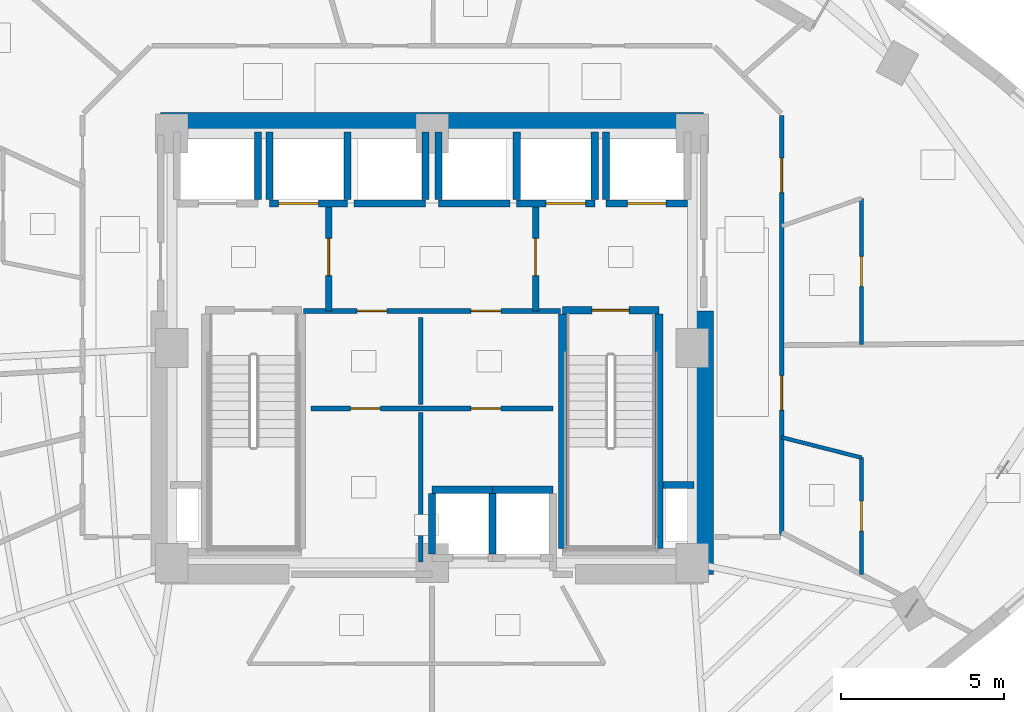
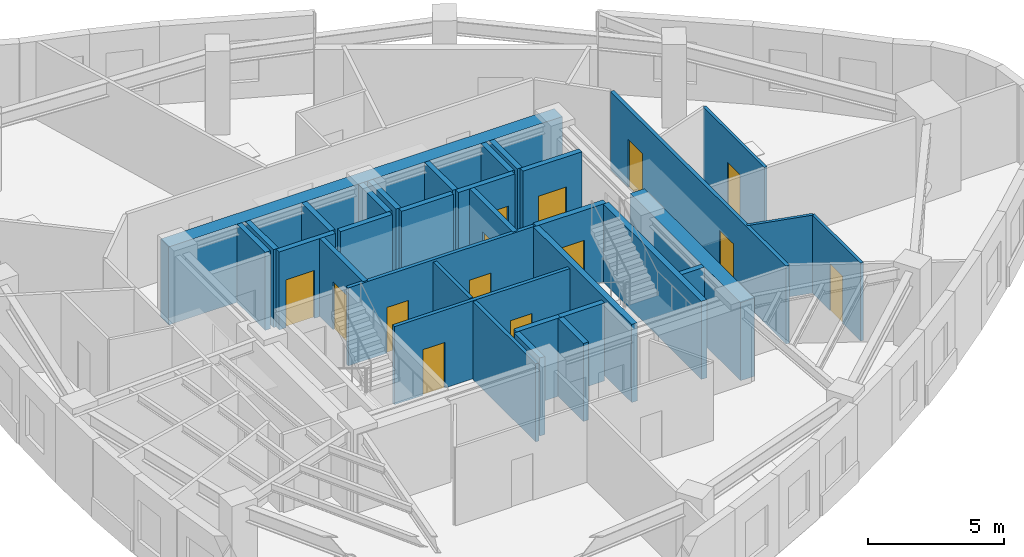
# One storey, part 9 of 14: 33 walls, 14 doors, 14 openings.
"""IFC4 building model written with IfcOpenShell, lengths in metres."""

from ifc_helpers import new_model, si_unit, direction, frame, frame_2d, origin, place, context, subcontext, project, spatial, rectangle, extrude, material, layer, layer_set, type_object, element, fill, save


model = new_model("IFC4")

# Units and contexts
model_context = context("Model", 3, precision=1e-05, world=origin(), true_north=direction((0.0, 1.0)))
body_context = subcontext(model_context, "Body", "Model", "MODEL_VIEW")
ifc_project = project(units=[si_unit("LENGTHUNIT", "METRE"), si_unit("AREAUNIT", "SQUARE_METRE"), si_unit("VOLUMEUNIT", "CUBIC_METRE"), si_unit("PLANEANGLEUNIT", "RADIAN"), si_unit("MASSUNIT", "GRAM", prefix="KILO")], contexts=[model_context])

# Site, building, storey
site_placement = place(None, origin())
site = spatial("IfcSite", under=ifc_project, at=site_placement, CompositionType="ELEMENT")
building_placement = place(site_placement, origin())
building = spatial("IfcBuilding", under=site, at=building_placement, Name="Ndelora Gate Hotel", CompositionType="ELEMENT")
storey_placement = place(building_placement, frame((0.0, 0.0, 127.25)))
storey = spatial("IfcBuildingStorey", under=building, at=storey_placement, Name="L31", CompositionType="ELEMENT", Elevation=127.25)

# Walls
ifc_material_1 = material(Name="Concrete C60/75", Category="concrete")
ifc_layer_1 = layer(ifc_material_1, 0.60009765625)
ifc_layer_set_1 = layer_set([ifc_layer_1], Name="Concrete C60/75")
wall_type_1 = type_object("IfcWallType", Name="WL-CORE-600", PredefinedType="SHEAR", material=ifc_layer_set_1)
wall_1_placement = place(storey_placement, frame((-8.35009765625, 6.949951171875, 0.0), z_axis=(0.0, 0.0, 1.0), x_axis=(1.0, 0.0, 0.0)))
element("IfcWall", 1, at=wall_1_placement, inside=storey, type_object=wall_type_1, Name="L31 Core Shear Wall N", PredefinedType="SHEAR", context=body_context, shape_type="SweptSolid", body=[
    extrude(rectangle(XDim=16.7001953125, YDim=0.60009765625, at=frame_2d((8.35009765625, 0.0))), origin(), (0.0, 0.0, 1.0), 3.5),
])
wall_2_placement = place(storey_placement, frame((8.35009765625, -6.949951171875, 0.0), z_axis=(0.0, 0.0, 1.0), x_axis=(0.0, 1.0, 0.0)))
element("IfcWall", 2, at=wall_2_placement, inside=storey, type_object=wall_type_1, Name="L31 Core Shear Wall E", PredefinedType="SHEAR", context=body_context, shape_type="SweptSolid", body=[
    extrude(rectangle(XDim=8.099853515625, YDim=0.60009765625, at=frame_2d((4.0498046875, 0.0))), origin(), (0.0, 0.0, 1.0), 3.5),
])

# Wall, opening, door
ifc_material_2 = material(Name="Concrete C40/50", Category="concrete")
ifc_layer_2 = layer(ifc_material_2, 0.199951171875)
ifc_layer_set_2 = layer_set([ifc_layer_2], Name="Concrete C40/50")
wall_type_2 = type_object("IfcWallType", Name="WL-FIRE-200", PredefinedType="PARTITIONING", material=ifc_layer_set_2)
wall_3_placement = place(storey_placement, frame((-3.179931640625, 1.14990234375, 0.0), z_axis=(0.0, 0.0, 1.0), x_axis=(0.0, 1.0, 0.0)))
wall_3 = element("IfcWall", 3, at=wall_3_placement, inside=storey, type_object=wall_type_2, Name="L31 Interior Wall IW-2", PredefinedType="PARTITIONING", context=body_context, shape_type="SweptSolid", body=[
    extrude(rectangle(XDim=3.300048828125, YDim=0.199951171875, at=frame_2d((1.64990234375, 0.0))), origin(), (0.0, 0.0, 1.0), 3.5),
])
opening_1_placement = place(wall_3_placement, frame((1.080078125, 0.0, 0.0)))
opening_1 = element("IfcOpeningElement", 4, at=opening_1_placement, cuts=wall_3, Name="Opening FD1", PredefinedType="OPENING", context=body_context, shape_type="SweptSolid", body=[
    extrude(rectangle(XDim=1.14990234375, YDim=2.14990234375, at=frame_2d((0.574951171875, 1.074951171875))), frame((0.0, 0.10986328125, 0.0), z_axis=(0.0, -1.0, 0.0), x_axis=(1.0, 0.0, 0.0)), (0.0, 0.0, 1.0), 0.219970703125),
])
ifc_material_3 = material(Name="Fire-Rated Timber-Veneer Steel Core", Category="steel")
door_type_1 = type_object("IfcDoorType", Name="DR-FD60", OperationType="SINGLE_SWING_LEFT", PredefinedType="DOOR", material=ifc_material_3)
door_1_placement = place(opening_1_placement, origin())
door_1 = element("IfcDoor", 5, at=door_1_placement, inside=storey, type_object=door_type_1, Name="L31 Firefighting Lobby West Door", OperationType="SINGLE_SWING_RIGHT", OverallHeight=2.14990234375, OverallWidth=1.14990234375, PredefinedType="DOOR", context=body_context, shape_type="SweptSolid", body=[
    extrude(rectangle(XDim=1.14990234375, YDim=2.14990234375, at=frame_2d((0.574951171875, 1.074951171875))), frame((0.0, 0.02490234375, 0.0), z_axis=(0.0, -1.0, 0.0), x_axis=(1.0, 0.0, 0.0)), (0.0, 0.0, 1.0), 0.050048828125),
])
fill(opening_1, door_1)

wall_4_placement = place(storey_placement, frame((3.179931640625, 1.14990234375, 0.0), z_axis=(0.0, 0.0, 1.0), x_axis=(0.0, 1.0, 0.0)))
wall_4 = element("IfcWall", 6, at=wall_4_placement, inside=storey, type_object=wall_type_2, Name="L31 Interior Wall IW-2", PredefinedType="PARTITIONING", context=body_context, shape_type="SweptSolid", body=[
    extrude(rectangle(XDim=3.300048828125, YDim=0.199951171875, at=frame_2d((1.64990234375, 0.0))), origin(), (0.0, 0.0, 1.0), 3.5),
])
opening_2_placement = place(wall_4_placement, frame((1.080078125, 0.0, 0.0)))
opening_2 = element("IfcOpeningElement", 7, at=opening_2_placement, cuts=wall_4, Name="Opening FD1", PredefinedType="OPENING", context=body_context, shape_type="SweptSolid", body=[
    extrude(rectangle(XDim=1.14990234375, YDim=2.14990234375, at=frame_2d((0.574951171875, 1.074951171875))), frame((0.0, 0.10986328125, 0.0), z_axis=(0.0, -1.0, 0.0), x_axis=(1.0, 0.0, 0.0)), (0.0, 0.0, 1.0), 0.219970703125),
])
door_2_placement = place(opening_2_placement, origin())
door_2 = element("IfcDoor", 8, at=door_2_placement, inside=storey, type_object=door_type_1, Name="L31 Firefighting Lobby East Door", OperationType="SINGLE_SWING_LEFT", OverallHeight=2.14990234375, OverallWidth=1.14990234375, PredefinedType="DOOR", context=body_context, shape_type="SweptSolid", body=[
    extrude(rectangle(XDim=1.14990234375, YDim=2.14990234375, at=frame_2d((0.574951171875, 1.074951171875))), frame((0.0, 0.02490234375, 0.0), z_axis=(0.0, -1.0, 0.0), x_axis=(1.0, 0.0, 0.0)), (0.0, 0.0, 1.0), 0.050048828125),
])
fill(opening_2, door_2)

# Wall, openings, doors
ifc_material_4 = material(Name="Fire-Rated Gypsum Stud Partition", Category="gypsum")
ifc_layer_3 = layer(ifc_material_4, 0.14990234375)
ifc_layer_set_3 = layer_set([ifc_layer_3], Name="Fire-Rated Gypsum Stud Partition")
wall_type_3 = type_object("IfcWallType", Name="WL-PART-150", PredefinedType="PARTITIONING", material=ifc_layer_set_3)
wall_5_placement = place(storey_placement, frame((3.949951171875, 1.14990234375, 0.0), z_axis=(0.0, 0.0, 1.0), x_axis=(-1.0, 0.0, 0.0)))
wall_5 = element("IfcWall", 9, at=wall_5_placement, inside=storey, type_object=wall_type_3, Name="L31 Interior Wall IW-5", PredefinedType="PARTITIONING", context=body_context, shape_type="SweptSolid", body=[
    extrude(rectangle(XDim=7.89990234375, YDim=0.14990234375, at=frame_2d((3.949951171875, 0.0))), origin(), (0.0, 0.0, 1.0), 3.5),
])
opening_3_placement = place(wall_5_placement, frame((5.340087890625, 0.0, 0.0)))
opening_3 = element("IfcOpeningElement", 10, at=opening_3_placement, cuts=wall_5, Name="Opening D04", PredefinedType="OPENING", context=body_context, shape_type="SweptSolid", body=[
    extrude(rectangle(XDim=0.919921875, YDim=2.050048828125, at=frame_2d((0.4599609375, 1.02490234375))), frame((0.0, 0.0849609375, 0.0), z_axis=(0.0, -1.0, 0.0), x_axis=(1.0, 0.0, 0.0)), (0.0, 0.0, 1.0), 0.169921875),
])
opening_4_placement = place(wall_5_placement, frame((1.840087890625, 0.0, 0.0)))
opening_4 = element("IfcOpeningElement", 11, at=opening_4_placement, cuts=wall_5, Name="Opening D04", PredefinedType="OPENING", context=body_context, shape_type="SweptSolid", body=[
    extrude(rectangle(XDim=0.919921875, YDim=2.050048828125, at=frame_2d((0.4599609375, 1.02490234375))), frame((0.0, 0.0849609375, 0.0), z_axis=(0.0, -1.0, 0.0), x_axis=(1.0, 0.0, 0.0)), (0.0, 0.0, 1.0), 0.169921875),
])
ifc_material_5 = material(Name="Painted Steel Core Service Door", Category="steel")
door_type_2 = type_object("IfcDoorType", Name="DR-SER-920", OperationType="SINGLE_SWING_LEFT", PredefinedType="DOOR", material=ifc_material_5)
door_3_placement = place(opening_3_placement, origin())
door_3 = element("IfcDoor", 12, at=door_3_placement, inside=storey, type_object=door_type_2, Name="L31 Core Electrical Closet Door", OperationType="SINGLE_SWING_LEFT", OverallHeight=2.050048828125, OverallWidth=0.919921875, PredefinedType="DOOR", context=body_context, shape_type="SweptSolid", body=[
    extrude(rectangle(XDim=0.919921875, YDim=2.050048828125, at=frame_2d((0.4599609375, 1.02490234375))), frame((0.0, 0.02490234375, 0.0), z_axis=(0.0, -1.0, 0.0), x_axis=(1.0, 0.0, 0.0)), (0.0, 0.0, 1.0), 0.050048828125),
])
fill(opening_3, door_3)
door_4_placement = place(opening_4_placement, origin())
door_4 = element("IfcDoor", 13, at=door_4_placement, inside=storey, type_object=door_type_2, Name="L31 Comms Patching Store Door", OperationType="SINGLE_SWING_RIGHT", OverallHeight=2.050048828125, OverallWidth=0.919921875, PredefinedType="DOOR", context=body_context, shape_type="SweptSolid", body=[
    extrude(rectangle(XDim=0.919921875, YDim=2.050048828125, at=frame_2d((0.4599609375, 1.02490234375))), frame((0.0, 0.02490234375, 0.0), z_axis=(0.0, -1.0, 0.0), x_axis=(1.0, 0.0, 0.0)), (0.0, 0.0, 1.0), 0.050048828125),
])
fill(opening_4, door_4)

wall_6_placement = place(storey_placement, frame((-3.719970703125, -1.85009765625, 0.0), z_axis=(0.0, 0.0, 1.0), x_axis=(1.0, 0.0, 0.0)))
wall_6 = element("IfcWall", 14, at=wall_6_placement, inside=storey, type_object=wall_type_3, Name="L31 Interior Wall IW-5", PredefinedType="PARTITIONING", context=body_context, shape_type="SweptSolid", body=[
    extrude(rectangle(XDim=7.43994140625, YDim=0.14990234375, at=frame_2d((3.719970703125, 0.0))), origin(), (0.0, 0.0, 1.0), 3.5),
])
opening_5_placement = place(wall_6_placement, frame((1.2099609375, 0.0, 0.0)))
opening_5 = element("IfcOpeningElement", 15, at=opening_5_placement, cuts=wall_6, Name="Opening D04", PredefinedType="OPENING", context=body_context, shape_type="SweptSolid", body=[
    extrude(rectangle(XDim=0.919921875, YDim=2.050048828125, at=frame_2d((0.4599609375, 1.02490234375))), frame((0.0, 0.0849609375, 0.0), z_axis=(0.0, -1.0, 0.0), x_axis=(1.0, 0.0, 0.0)), (0.0, 0.0, 1.0), 0.169921875),
])
opening_6_placement = place(wall_6_placement, frame((4.909912109375, 0.0, 0.0)))
opening_6 = element("IfcOpeningElement", 16, at=opening_6_placement, cuts=wall_6, Name="Opening D04", PredefinedType="OPENING", context=body_context, shape_type="SweptSolid", body=[
    extrude(rectangle(XDim=0.919921875, YDim=2.050048828125, at=frame_2d((0.4599609375, 1.02490234375))), frame((0.0, 0.0849609375, 0.0), z_axis=(0.0, -1.0, 0.0), x_axis=(1.0, 0.0, 0.0)), (0.0, 0.0, 1.0), 0.169921875),
])
door_5_placement = place(opening_5_placement, origin())
door_5 = element("IfcDoor", 17, at=door_5_placement, inside=storey, type_object=door_type_2, Name="L31 Core Service Internal Door", OperationType="SINGLE_SWING_LEFT", OverallHeight=2.050048828125, OverallWidth=0.919921875, PredefinedType="DOOR", context=body_context, shape_type="SweptSolid", body=[
    extrude(rectangle(XDim=0.919921875, YDim=2.050048828125, at=frame_2d((0.4599609375, 1.02490234375))), frame((0.0, 0.02490234375, 0.0), z_axis=(0.0, -1.0, 0.0), x_axis=(1.0, 0.0, 0.0)), (0.0, 0.0, 1.0), 0.050048828125),
])
fill(opening_5, door_5)
door_6_placement = place(opening_6_placement, origin())
door_6 = element("IfcDoor", 18, at=door_6_placement, inside=storey, type_object=door_type_2, Name="L31 Core Service Internal Door", OperationType="SINGLE_SWING_LEFT", OverallHeight=2.050048828125, OverallWidth=0.919921875, PredefinedType="DOOR", context=body_context, shape_type="SweptSolid", body=[
    extrude(rectangle(XDim=0.919921875, YDim=2.050048828125, at=frame_2d((0.4599609375, 1.02490234375))), frame((0.0, 0.02490234375, 0.0), z_axis=(0.0, -1.0, 0.0), x_axis=(1.0, 0.0, 0.0)), (0.0, 0.0, 1.0), 0.050048828125),
])
fill(opening_6, door_6)

# Walls
wall_7_placement = place(storey_placement, frame((-0.35009765625, -6.580078125, 0.0), z_axis=(0.0, 0.0, 1.0), x_axis=(0.0, 1.0, 0.0)))
element("IfcWall", 19, at=wall_7_placement, inside=storey, type_object=wall_type_3, Name="L31 Interior Wall IW-5", PredefinedType="PARTITIONING", context=body_context, shape_type="SweptSolid", body=[
    extrude(rectangle(XDim=4.610107421875, YDim=0.14990234375, at=frame_2d((2.30517578125, 0.0))), origin(), (0.0, 0.0, 1.0), 3.5),
])
wall_8_placement = place(storey_placement, frame((-0.35009765625, -1.72998046875, 0.0), z_axis=(0.0, 0.0, 1.0), x_axis=(0.0, 1.0, 0.0)))
element("IfcWall", 20, at=wall_8_placement, inside=storey, type_object=wall_type_3, Name="L31 Interior Wall IW-5", PredefinedType="PARTITIONING", context=body_context, shape_type="SweptSolid", body=[
    extrude(rectangle(XDim=2.679931640625, YDim=0.14990234375, at=frame_2d((1.33984375, 0.0))), origin(), (0.0, 0.0, 1.0), 3.5),
])

# Wall, openings, doors
wall_9_placement = place(storey_placement, frame((10.75, 7.159912109375, 0.0), z_axis=(0.0, 0.0, 1.0), x_axis=(0.0, -1.0, 0.0)))
wall_9 = element("IfcWall", 21, at=wall_9_placement, inside=storey, type_object=wall_type_3, Name="L31 Interior Wall IW-5", PredefinedType="PARTITIONING", context=body_context, shape_type="SweptSolid", body=[
    extrude(rectangle(XDim=12.919921875, YDim=0.14990234375, at=frame_2d((6.4599609375, 0.0))), origin(), (0.0, 0.0, 1.0), 3.5),
])
opening_7_placement = place(wall_9_placement, frame((8.005859375, 0.0, 0.0)))
opening_7 = element("IfcOpeningElement", 22, at=opening_7_placement, cuts=wall_9, Name="Opening D07", PredefinedType="OPENING", context=body_context, shape_type="SweptSolid", body=[
    extrude(rectangle(XDim=1.06005859375, YDim=2.14990234375, at=frame_2d((0.530029296875, 1.074951171875))), frame((0.0, 0.0849609375, 0.0), z_axis=(0.0, -1.0, 0.0), x_axis=(1.0, 0.0, 0.0)), (0.0, 0.0, 1.0), 0.169921875),
])
opening_8_placement = place(wall_9_placement, frame((1.31201171875, 0.0, 0.0)))
opening_8 = element("IfcOpeningElement", 23, at=opening_8_placement, cuts=wall_9, Name="Opening D07", PredefinedType="OPENING", context=body_context, shape_type="SweptSolid", body=[
    extrude(rectangle(XDim=1.06005859375, YDim=2.14990234375, at=frame_2d((0.530029296875, 1.074951171875))), frame((0.0, 0.0849609375, 0.0), z_axis=(0.0, -1.0, 0.0), x_axis=(1.0, 0.0, 0.0)), (0.0, 0.0, 1.0), 0.169921875),
])
ifc_material_6 = material(Name="Diplomatic Suite Acoustic Entrance Door", Category="wood")
door_type_3 = type_object("IfcDoorType", Name="DR-SUITE-1060", OperationType="SINGLE_SWING_LEFT", PredefinedType="DOOR", material=ifc_material_6)
door_7_placement = place(opening_7_placement, origin())
door_7 = element("IfcDoor", 24, at=door_7_placement, inside=storey, type_object=door_type_3, Name="L31 Club Twin Junior Suite 3403 Entrance Door", OperationType="SINGLE_SWING_RIGHT", OverallHeight=2.14990234375, OverallWidth=1.06005859375, PredefinedType="DOOR", context=body_context, shape_type="SweptSolid", body=[
    extrude(rectangle(XDim=1.06005859375, YDim=2.14990234375, at=frame_2d((0.530029296875, 1.074951171875))), frame((0.0, 0.02490234375, 0.0), z_axis=(0.0, -1.0, 0.0), x_axis=(1.0, 0.0, 0.0)), (0.0, 0.0, 1.0), 0.050048828125),
])
fill(opening_7, door_7)
door_8_placement = place(opening_8_placement, origin())
door_8 = element("IfcDoor", 25, at=door_8_placement, inside=storey, type_object=door_type_3, Name="L31 Grand Club Suite 3404 Entrance Door", OperationType="SINGLE_SWING_LEFT", OverallHeight=2.14990234375, OverallWidth=1.06005859375, PredefinedType="DOOR", context=body_context, shape_type="SweptSolid", body=[
    extrude(rectangle(XDim=1.06005859375, YDim=2.14990234375, at=frame_2d((0.530029296875, 1.074951171875))), frame((0.0, 0.02490234375, 0.0), z_axis=(0.0, -1.0, 0.0), x_axis=(1.0, 0.0, 0.0)), (0.0, 0.0, 1.0), 0.050048828125),
])
fill(opening_8, door_8)

# Walls
ifc_layer_4 = layer(ifc_material_2, 0.219970703125)
ifc_layer_set_4 = layer_set([ifc_layer_4], Name="Concrete C40/50")
wall_type_4 = type_object("IfcWallType", Name="WL-SHAFT-220", PredefinedType="PARTITIONING", material=ifc_layer_set_4)
wall_10_placement = place(storey_placement, frame((7.090087890625, -4.199951171875, 0.0), z_axis=(0.0, 0.0, 1.0), x_axis=(1.0, 0.0, 0.0)))
element("IfcWall", 26, at=wall_10_placement, inside=storey, type_object=wall_type_4, Name="L31 Interior Wall IW-1", PredefinedType="PARTITIONING", context=body_context, shape_type="SweptSolid", body=[
    extrude(rectangle(XDim=0.9599609375, YDim=0.219970703125, at=frame_2d((0.47998046875, 0.0))), origin(), (0.0, 0.0, 1.0), 3.5),
])
wall_11_placement = place(storey_placement, frame((-5.35009765625, 4.570068359375, 0.0), z_axis=(0.0, 0.0, 1.0), x_axis=(0.0, 1.0, 0.0)))
element("IfcWall", 27, at=wall_11_placement, inside=storey, type_object=wall_type_4, Name="L31 Interior Wall IW-1", PredefinedType="PARTITIONING", context=body_context, shape_type="SweptSolid", body=[
    extrude(rectangle(XDim=2.079833984375, YDim=0.219970703125, at=frame_2d((1.0400390625, 0.0))), origin(), (0.0, 0.0, 1.0), 3.5),
])

# Wall, opening, door
wall_12_placement = place(storey_placement, frame((5.35009765625, 4.449951171875, 0.0), z_axis=(0.0, 0.0, 1.0), x_axis=(1.0, 0.0, 0.0)))
wall_12 = element("IfcWall", 28, at=wall_12_placement, inside=storey, type_object=wall_type_4, Name="L31 Interior Wall IW-1", PredefinedType="PARTITIONING", context=body_context, shape_type="SweptSolid", body=[
    extrude(rectangle(XDim=2.5, YDim=0.219970703125, at=frame_2d((1.25, 0.0))), origin(), (0.0, 0.0, 1.0), 3.5),
])
opening_9_placement = place(wall_12_placement, frame((0.659912109375, 0.0, 0.0)))
opening_9 = element("IfcOpeningElement", 29, at=opening_9_placement, cuts=wall_12, Name="Opening LD5", PredefinedType="OPENING", context=body_context, shape_type="SweptSolid", body=[
    extrude(rectangle(XDim=1.179931640625, YDim=2.14990234375, at=frame_2d((0.58984375, 1.074951171875))), frame((0.0, 0.1201171875, 0.0), z_axis=(0.0, -1.0, 0.0), x_axis=(1.0, 0.0, 0.0)), (0.0, 0.0, 1.0), 0.239990234375),
])
ifc_material_7 = material(Name="Firefighting Lift Stainless Sliding Landing Door", Category="metal")
door_type_4 = type_object("IfcDoorType", Name="DR-LD5", OperationType="DOUBLE_DOOR_SLIDING", PredefinedType="DOOR", material=ifc_material_7)
door_9_placement = place(opening_9_placement, origin())
door_9 = element("IfcDoor", 30, at=door_9_placement, inside=storey, type_object=door_type_4, Name="L31 Lift Landing Sliding Door FFL2", OperationType="DOUBLE_DOOR_SLIDING", OverallHeight=2.14990234375, OverallWidth=1.179931640625, PredefinedType="DOOR", context=body_context, shape_type="SweptSolid", body=[
    extrude(rectangle(XDim=1.179931640625, YDim=2.14990234375, at=frame_2d((0.58984375, 1.074951171875))), frame((0.0, 0.02490234375, 0.0), z_axis=(0.0, -1.0, 0.0), x_axis=(1.0, 0.0, 0.0)), (0.0, 0.0, 1.0), 0.050048828125),
])
fill(opening_9, door_9)

# Wall
wall_13_placement = place(storey_placement, frame((5.35009765625, 4.570068359375, 0.0), z_axis=(0.0, 0.0, 1.0), x_axis=(0.0, 1.0, 0.0)))
element("IfcWall", 31, at=wall_13_placement, inside=storey, type_object=wall_type_4, Name="L31 Interior Wall IW-1", PredefinedType="PARTITIONING", context=body_context, shape_type="SweptSolid", body=[
    extrude(rectangle(XDim=2.079833984375, YDim=0.219970703125, at=frame_2d((1.0400390625, 0.0))), origin(), (0.0, 0.0, 1.0), 3.5),
])

# Wall, opening, door
wall_14_placement = place(storey_placement, frame((-5.0, 4.449951171875, 0.0), z_axis=(0.0, 0.0, 1.0), x_axis=(1.0, 0.0, 0.0)))
wall_14 = element("IfcWall", 32, at=wall_14_placement, inside=storey, type_object=wall_type_4, Name="L31 Interior Wall IW-1", PredefinedType="PARTITIONING", context=body_context, shape_type="SweptSolid", body=[
    extrude(rectangle(XDim=2.39990234375, YDim=0.219970703125, at=frame_2d((1.199951171875, 0.0))), origin(), (0.0, 0.0, 1.0), 3.5),
])
opening_10_placement = place(wall_14_placement, frame((0.280029296875, 0.0, 0.0)))
opening_10 = element("IfcOpeningElement", 33, at=opening_10_placement, cuts=wall_14, Name="Opening LD6", PredefinedType="OPENING", context=body_context, shape_type="SweptSolid", body=[
    extrude(rectangle(XDim=1.219970703125, YDim=2.14990234375, at=frame_2d((0.60986328125, 1.074951171875))), frame((0.0, 0.1201171875, 0.0), z_axis=(0.0, -1.0, 0.0), x_axis=(1.0, 0.0, 0.0)), (0.0, 0.0, 1.0), 0.239990234375),
])
ifc_material_8 = material(Name="Heavy-Duty Service Lift Sliding Landing Door", Category="wood")
door_type_5 = type_object("IfcDoorType", Name="DR-LD6", OperationType="DOUBLE_DOOR_SLIDING", PredefinedType="DOOR", material=ifc_material_8)
door_10_placement = place(opening_10_placement, origin())
door_10 = element("IfcDoor", 34, at=door_10_placement, inside=storey, type_object=door_type_5, Name="L31 Lift Landing Sliding Door SVL1", OperationType="DOUBLE_DOOR_SLIDING", OverallHeight=2.14990234375, OverallWidth=1.219970703125, PredefinedType="DOOR", context=body_context, shape_type="SweptSolid", body=[
    extrude(rectangle(XDim=1.219970703125, YDim=2.14990234375, at=frame_2d((0.60986328125, 1.074951171875))), frame((0.0, 0.02490234375, 0.0), z_axis=(0.0, -1.0, 0.0), x_axis=(1.0, 0.0, 0.0)), (0.0, 0.0, 1.0), 0.050048828125),
])
fill(opening_10, door_10)

# Walls
for number, where, z_axis, x_axis, name in (
    (35, (-5.0, 4.570068359375, 0.0), (0.0, 0.0, 1.0), (0.0, 1.0, 0.0), "L31 Interior Wall IW-1"),
    (36, (-2.60009765625, 4.570068359375, 0.0), (0.0, 0.0, 1.0), (0.0, 1.0, 0.0), "L31 Interior Wall IW-1"),
):
    element("IfcWall", number, at=place(storey_placement, frame(where, z_axis=z_axis, x_axis=x_axis)), inside=storey, type_object=wall_type_4, Name=name, PredefinedType="PARTITIONING", context=body_context, shape_type="SweptSolid", body=[
        extrude(rectangle(XDim=2.079833984375, YDim=0.219970703125, at=frame_2d((1.0400390625, 0.0))), origin(), (0.0, 0.0, 1.0), 3.5),
    ])

# Wall, opening, door
wall_15_placement = place(storey_placement, frame((2.60009765625, 4.449951171875, 0.0), z_axis=(0.0, 0.0, 1.0), x_axis=(1.0, 0.0, 0.0)))
wall_15 = element("IfcWall", 37, at=wall_15_placement, inside=storey, type_object=wall_type_4, Name="L31 Interior Wall IW-1", PredefinedType="PARTITIONING", context=body_context, shape_type="SweptSolid", body=[
    extrude(rectangle(XDim=2.39990234375, YDim=0.219970703125, at=frame_2d((1.199951171875, 0.0))), origin(), (0.0, 0.0, 1.0), 3.5),
])
opening_11_placement = place(wall_15_placement, frame((0.89990234375, 0.0, 0.0)))
opening_11 = element("IfcOpeningElement", 38, at=opening_11_placement, cuts=wall_15, Name="Opening LD6", PredefinedType="OPENING", context=body_context, shape_type="SweptSolid", body=[
    extrude(rectangle(XDim=1.219970703125, YDim=2.14990234375, at=frame_2d((0.60986328125, 1.074951171875))), frame((0.0, 0.1201171875, 0.0), z_axis=(0.0, -1.0, 0.0), x_axis=(1.0, 0.0, 0.0)), (0.0, 0.0, 1.0), 0.239990234375),
])
door_11_placement = place(opening_11_placement, origin())
door_11 = element("IfcDoor", 39, at=door_11_placement, inside=storey, type_object=door_type_5, Name="L31 Lift Landing Sliding Door SVL2", OperationType="DOUBLE_DOOR_SLIDING", OverallHeight=2.14990234375, OverallWidth=1.219970703125, PredefinedType="DOOR", context=body_context, shape_type="SweptSolid", body=[
    extrude(rectangle(XDim=1.219970703125, YDim=2.14990234375, at=frame_2d((0.60986328125, 1.074951171875))), frame((0.0, 0.02490234375, 0.0), z_axis=(0.0, -1.0, 0.0), x_axis=(1.0, 0.0, 0.0)), (0.0, 0.0, 1.0), 0.050048828125),
])
fill(opening_11, door_11)

# Walls
for number, where, z_axis, x_axis, name in (
    (40, (2.60009765625, 4.570068359375, 0.0), (0.0, 0.0, 1.0), (0.0, 1.0, 0.0), "L31 Interior Wall IW-1"),
    (41, (5.0, 4.570068359375, 0.0), (0.0, 0.0, 1.0), (0.0, 1.0, 0.0), "L31 Interior Wall IW-1"),
):
    element("IfcWall", number, at=place(storey_placement, frame(where, z_axis=z_axis, x_axis=x_axis)), inside=storey, type_object=wall_type_4, Name=name, PredefinedType="PARTITIONING", context=body_context, shape_type="SweptSolid", body=[
        extrude(rectangle(XDim=2.079833984375, YDim=0.219970703125, at=frame_2d((1.0400390625, 0.0))), origin(), (0.0, 0.0, 1.0), 3.5),
    ])
for number, where, z_axis, x_axis, name in (
    (42, (0.0, -4.35009765625, 0.0), (0.0, 0.0, 1.0), (1.0, 0.0, 0.0), "L31 Interior Wall IW-1"),
    (43, (0.0, -6.330078125, 0.0), (0.0, 0.0, 1.0), (0.0, 1.0, 0.0), "L31 Interior Wall IW-1"),
    (44, (1.860107421875, -6.330078125, 0.0), (0.0, 0.0, 1.0), (0.0, 1.0, 0.0), "L31 Interior Wall IW-1"),
):
    element("IfcWall", number, at=place(storey_placement, frame(where, z_axis=z_axis, x_axis=x_axis)), inside=storey, type_object=wall_type_4, Name=name, PredefinedType="PARTITIONING", context=body_context, shape_type="SweptSolid", body=[
        extrude(rectangle(XDim=1.860107421875, YDim=0.219970703125, at=frame_2d((0.93017578125, 0.0))), origin(), (0.0, 0.0, 1.0), 3.5),
    ])
wall_16_placement = place(storey_placement, frame((1.860107421875, -4.35009765625, 0.0), z_axis=(0.0, 0.0, 1.0), x_axis=(1.0, 0.0, 0.0)))
element("IfcWall", 45, at=wall_16_placement, inside=storey, type_object=wall_type_4, Name="L31 Interior Wall IW-1", PredefinedType="PARTITIONING", context=body_context, shape_type="SweptSolid", body=[
    extrude(rectangle(XDim=1.85986328125, YDim=0.219970703125, at=frame_2d((0.929931640625, 0.0))), origin(), (0.0, 0.0, 1.0), 3.5),
])
wall_17_placement = place(storey_placement, frame((-2.39990234375, 4.449951171875, 0.0), z_axis=(0.0, 0.0, 1.0), x_axis=(1.0, 0.0, 0.0)))
element("IfcWall", 46, at=wall_17_placement, inside=storey, type_object=wall_type_4, Name="L31 Interior Wall IW-1", PredefinedType="PARTITIONING", context=body_context, shape_type="SweptSolid", body=[
    extrude(rectangle(XDim=2.199951171875, YDim=0.219970703125, at=frame_2d((1.10009765625, 0.0))), origin(), (0.0, 0.0, 1.0), 3.5),
])
wall_18_placement = place(storey_placement, frame((-0.199951171875, 4.570068359375, 0.0), z_axis=(0.0, 0.0, 1.0), x_axis=(0.0, 1.0, 0.0)))
element("IfcWall", 47, at=wall_18_placement, inside=storey, type_object=wall_type_4, Name="L31 Interior Wall IW-1", PredefinedType="PARTITIONING", context=body_context, shape_type="SweptSolid", body=[
    extrude(rectangle(XDim=2.079833984375, YDim=0.219970703125, at=frame_2d((1.0400390625, 0.0))), origin(), (0.0, 0.0, 1.0), 3.5),
])
wall_19_placement = place(storey_placement, frame((0.199951171875, 4.449951171875, 0.0), z_axis=(0.0, 0.0, 1.0), x_axis=(1.0, 0.0, 0.0)))
element("IfcWall", 48, at=wall_19_placement, inside=storey, type_object=wall_type_4, Name="L31 Interior Wall IW-1", PredefinedType="PARTITIONING", context=body_context, shape_type="SweptSolid", body=[
    extrude(rectangle(XDim=2.199951171875, YDim=0.219970703125, at=frame_2d((1.10009765625, 0.0))), origin(), (0.0, 0.0, 1.0), 3.5),
])
wall_20_placement = place(storey_placement, frame((0.199951171875, 4.570068359375, 0.0), z_axis=(0.0, 0.0, 1.0), x_axis=(0.0, 1.0, 0.0)))
element("IfcWall", 49, at=wall_20_placement, inside=storey, type_object=wall_type_4, Name="L31 Interior Wall IW-1", PredefinedType="PARTITIONING", context=body_context, shape_type="SweptSolid", body=[
    extrude(rectangle(XDim=2.079833984375, YDim=0.219970703125, at=frame_2d((1.0400390625, 0.0))), origin(), (0.0, 0.0, 1.0), 3.5),
])
ifc_material_9 = material(Name="Concrete C50/60", Category="concrete")
ifc_layer_5 = layer(ifc_material_9, 0.239990234375)
ifc_layer_set_5 = layer_set([ifc_layer_5], Name="Concrete C50/60")
wall_type_5 = type_object("IfcWallType", Name="WL-STAIR-240", PredefinedType="SHEAR", material=ifc_layer_set_5)
for number, where, z_axis, x_axis, name in (
    (50, (4.010009765625, -6.159912109375, 0.0), (0.0, 0.0, 1.0), (0.0, 1.0, 0.0), "L31 Stair Core Shear Wall SW-ST"),
    (51, (6.969970703125, -6.159912109375, 0.0), (0.0, 0.0, 1.0), (0.0, 1.0, 0.0), "L31 Stair Core Shear Wall SW-ST"),
):
    element("IfcWall", number, at=place(storey_placement, frame(where, z_axis=z_axis, x_axis=x_axis)), inside=storey, type_object=wall_type_5, Name=name, PredefinedType="SHEAR", context=body_context, shape_type="SweptSolid", body=[
        extrude(rectangle(XDim=7.219970703125, YDim=0.239990234375, at=frame_2d((3.60986328125, 0.0))), origin(), (0.0, 0.0, 1.0), 3.5),
    ])

# Wall, opening, door
wall_21_placement = place(storey_placement, frame((4.010009765625, 1.169921875, 0.0), z_axis=(0.0, 0.0, 1.0), x_axis=(1.0, 0.0, 0.0)))
wall_21 = element("IfcWall", 52, at=wall_21_placement, inside=storey, type_object=wall_type_5, Name="L31 Stair Core Shear Wall SW-ST", PredefinedType="SHEAR", context=body_context, shape_type="SweptSolid", body=[
    extrude(rectangle(XDim=2.9599609375, YDim=0.239990234375, at=frame_2d((1.47998046875, 0.0))), origin(), (0.0, 0.0, 1.0), 3.5),
])
opening_12_placement = place(wall_21_placement, frame((0.89990234375, 0.0, 0.0)))
opening_12 = element("IfcOpeningElement", 53, at=opening_12_placement, cuts=wall_21, Name="Opening FD1", PredefinedType="OPENING", context=body_context, shape_type="SweptSolid", body=[
    extrude(rectangle(XDim=1.14990234375, YDim=2.14990234375, at=frame_2d((0.574951171875, 1.074951171875))), frame((0.0, 0.1298828125, 0.0), z_axis=(0.0, -1.0, 0.0), x_axis=(1.0, 0.0, 0.0)), (0.0, 0.0, 1.0), 0.260009765625),
])
door_12_placement = place(opening_12_placement, origin())
door_12 = element("IfcDoor", 54, at=door_12_placement, inside=storey, type_object=door_type_1, Name="L31 Exit Stair ST5 Door", OperationType="SINGLE_SWING_RIGHT", OverallHeight=2.14990234375, OverallWidth=1.14990234375, PredefinedType="DOOR", context=body_context, shape_type="SweptSolid", body=[
    extrude(rectangle(XDim=1.14990234375, YDim=2.14990234375, at=frame_2d((0.574951171875, 1.074951171875))), frame((0.0, 0.02490234375, 0.0), z_axis=(0.0, -1.0, 0.0), x_axis=(1.0, 0.0, 0.0)), (0.0, 0.0, 1.0), 0.050048828125),
])
fill(opening_12, door_12)

# Wall
ifc_material_10 = material(Name="Moisture-Resistant Bathroom Tile Partition", Category="gypsum")
ifc_layer_6 = layer(ifc_material_10, 0.1201171875)
ifc_layer_set_6 = layer_set([ifc_layer_6], Name="Moisture-Resistant Bathroom Tile Partition")
wall_type_6 = type_object("IfcWallType", Name="WL-WET-120", PredefinedType="PARTITIONING", material=ifc_layer_set_6)
wall_22_placement = place(storey_placement, frame((10.75, -2.739990234375, 0.0), z_axis=(0.0, 0.0, 1.0), x_axis=(0.969013175756, -0.247009038723, 0.0)))
element("IfcWall", 55, at=wall_22_placement, inside=storey, type_object=wall_type_6, Name="L31 Interior Wall IW-7", PredefinedType="PARTITIONING", context=body_context, shape_type="SweptSolid", body=[
    extrude(rectangle(XDim=2.5283203125, YDim=0.1201171875, at=frame_2d((1.26416015625, 0.0))), origin(), (0.0, 0.0, 1.0), 3.5),
])

# Wall, opening, door
wall_23_placement = place(storey_placement, frame((13.199951171875, -3.364501953125, 0.0), z_axis=(0.0, 0.0, 1.0), x_axis=(0.0, -1.0, 0.0)))
wall_23 = element("IfcWall", 56, at=wall_23_placement, inside=storey, type_object=wall_type_6, Name="L31 Interior Wall IW-7", PredefinedType="PARTITIONING", context=body_context, shape_type="SweptSolid", body=[
    extrude(rectangle(XDim=3.59521484375, YDim=0.1201171875, at=frame_2d((1.797607421875, 0.0))), origin(), (0.0, 0.0, 1.0), 3.5),
])
opening_13_placement = place(wall_23_placement, frame((1.33740234375, 0.0, 0.0)))
opening_13 = element("IfcOpeningElement", 57, at=opening_13_placement, cuts=wall_23, Name="Opening D03", PredefinedType="OPENING", context=body_context, shape_type="SweptSolid", body=[
    extrude(rectangle(XDim=0.919921875, YDim=2.10009765625, at=frame_2d((0.4599609375, 1.050048828125))), frame((0.0, 0.070068359375, 0.0), z_axis=(0.0, -1.0, 0.0), x_axis=(1.0, 0.0, 0.0)), (0.0, 0.0, 1.0), 0.14013671875),
])
ifc_material_11 = material(Name="Moisture-Resistant Hardwood En-Suite Door", Category="wood")
door_type_6 = type_object("IfcDoorType", Name="DR-BATH-920", OperationType="SINGLE_SWING_LEFT", PredefinedType="DOOR", material=ifc_material_11)
door_13_placement = place(opening_13_placement, origin())
door_13 = element("IfcDoor", 58, at=door_13_placement, inside=storey, type_object=door_type_6, Name="L31 En-suite Bathroom 3403 Door", OperationType="SINGLE_SWING_RIGHT", OverallHeight=2.10009765625, OverallWidth=0.919921875, PredefinedType="DOOR", context=body_context, shape_type="SweptSolid", body=[
    extrude(rectangle(XDim=0.919921875, YDim=2.10009765625, at=frame_2d((0.4599609375, 1.050048828125))), frame((0.0, 0.02490234375, 0.0), z_axis=(0.0, -1.0, 0.0), x_axis=(1.0, 0.0, 0.0)), (0.0, 0.0, 1.0), 0.050048828125),
])
fill(opening_13, door_13)

wall_24_placement = place(storey_placement, frame((13.199951171875, 4.610107421875, 0.0), z_axis=(0.0, 0.0, 1.0), x_axis=(0.0, -1.0, 0.0)))
wall_24 = element("IfcWall", 59, at=wall_24_placement, inside=storey, type_object=wall_type_6, Name="L31 Interior Wall IW-7", PredefinedType="PARTITIONING", context=body_context, shape_type="SweptSolid", body=[
    extrude(rectangle(XDim=4.49658203125, YDim=0.1201171875, at=frame_2d((2.248291015625, 0.0))), origin(), (0.0, 0.0, 1.0), 3.5),
])
opening_14_placement = place(wall_24_placement, frame((1.788330078125, 0.0, 0.0)))
opening_14 = element("IfcOpeningElement", 60, at=opening_14_placement, cuts=wall_24, Name="Opening D03", PredefinedType="OPENING", context=body_context, shape_type="SweptSolid", body=[
    extrude(rectangle(XDim=0.919921875, YDim=2.10009765625, at=frame_2d((0.4599609375, 1.050048828125))), frame((0.0, 0.070068359375, 0.0), z_axis=(0.0, -1.0, 0.0), x_axis=(1.0, 0.0, 0.0)), (0.0, 0.0, 1.0), 0.14013671875),
])
door_14_placement = place(opening_14_placement, origin())
door_14 = element("IfcDoor", 61, at=door_14_placement, inside=storey, type_object=door_type_6, Name="L31 En-suite Bathroom 3404 Door", OperationType="SINGLE_SWING_LEFT", OverallHeight=2.10009765625, OverallWidth=0.919921875, PredefinedType="DOOR", context=body_context, shape_type="SweptSolid", body=[
    extrude(rectangle(XDim=0.919921875, YDim=2.10009765625, at=frame_2d((0.4599609375, 1.050048828125))), frame((0.0, 0.02490234375, 0.0), z_axis=(0.0, -1.0, 0.0), x_axis=(1.0, 0.0, 0.0)), (0.0, 0.0, 1.0), 0.050048828125),
])
fill(opening_14, door_14)

save(model, "model.ifc")
